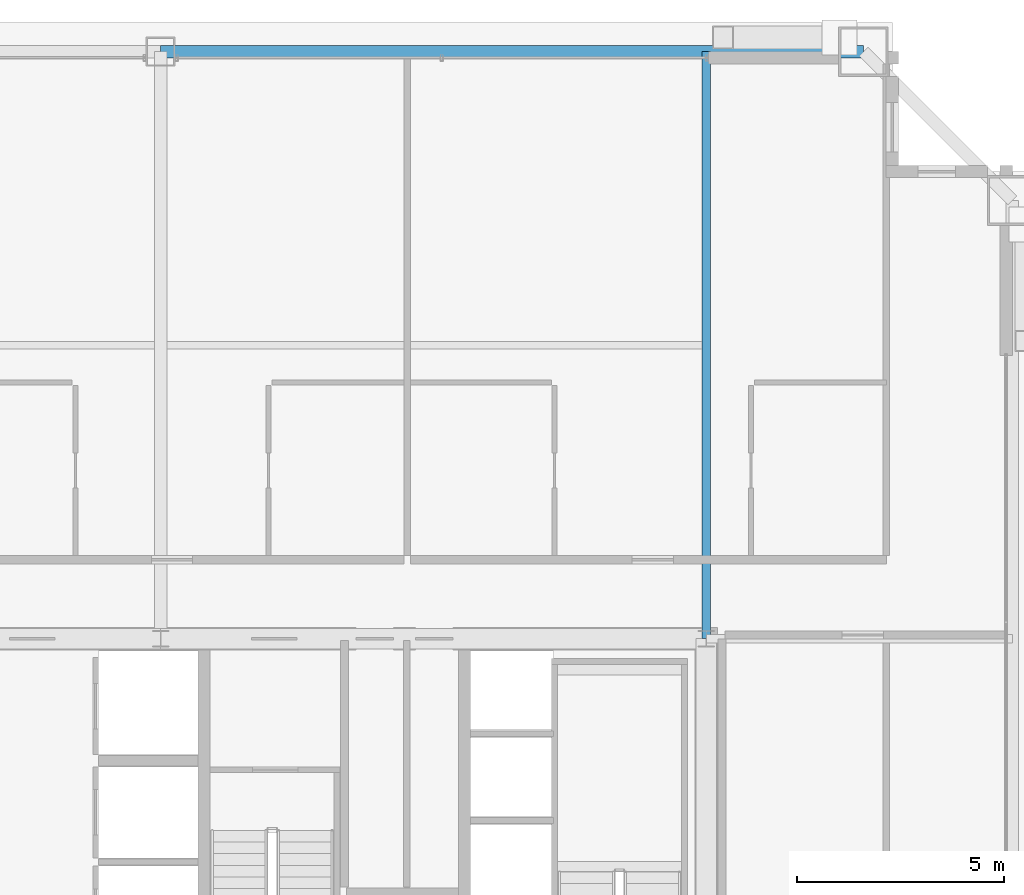
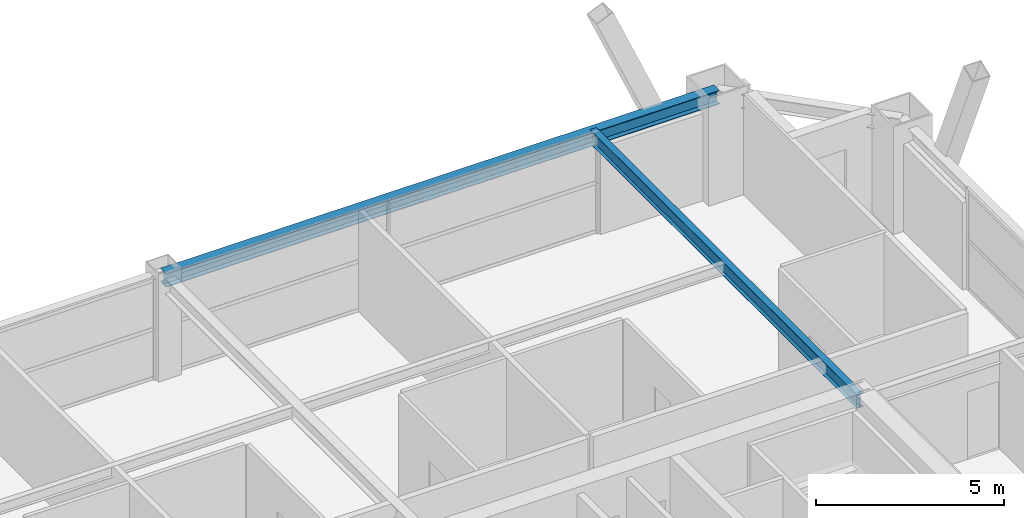
# One storey, part 26 of 33: 2 beams.
"""IFC4 building model written with IfcOpenShell, lengths in metres."""

import ifcopenshell
import ifcopenshell.guid

model = None  # the IFC model being written
_history = None  # IfcOwnerHistory: only IFC2X3 demands one
_inside = {}  # id of a spatial element -> (the spatial element, [elements in it])
_under = {}  # id of a project, library or spatial element -> (it, [spatial elements below it])
_declared = {}  # id of a project -> (the project, [libraries it declares])
_typed = {}  # id of a type object -> (the type object, [elements of that type])
_made_of = {}  # id of a material, layer set ... -> (it, [elements and type objects made of it])


def new_model(schema):
    """Start an empty IFC model of exactly this schema.

    Asked for "IFC4X3", IfcOpenShell would pick the latest addendum, in which some entities
    have other attributes; the version numbers below select the first issue.
    IFC2X3 requires an IfcOwnerHistory on every rooted entity: one is made here for all.
    """
    global model, _history
    if schema == "IFC4X3":
        model = ifcopenshell.file(schema_version=(4, 3, 0, 0))
    else:
        model = ifcopenshell.file(schema=schema)
    _inside.clear()
    _under.clear()
    _declared.clear()
    _typed.clear()
    _made_of.clear()
    _history = None
    if model.schema == "IFC2X3":
        org = make("IfcOrganization", Name="unknown")
        user = make(
            "IfcPersonAndOrganization",
            ThePerson=make("IfcPerson", FamilyName="unknown"),
            TheOrganization=org,
        )
        app = make(
            "IfcApplication",
            ApplicationDeveloper=org,
            Version="unknown",
            ApplicationFullName="unknown",
            ApplicationIdentifier="unknown",
        )
        _history = make(
            "IfcOwnerHistory",
            OwningUser=user,
            OwningApplication=app,
            ChangeAction="ADDED",
            CreationDate=0,
        )
    return model


def make(cls, **values):
    """One entity of the class cls with the attributes given. An attribute that is None is left unset."""
    return model.create_entity(
        cls, **{name: value for name, value in values.items() if value is not None}
    )


def rooted(cls, **values):
    """An entity with a GlobalId (a new one), such as an element, a storey or a relation."""
    return make(cls, GlobalId=ifcopenshell.guid.new(), OwnerHistory=_history, **values)


def si_unit(unit_type, name, prefix=None):
    """IfcSIUnit, for example si_unit("LENGTHUNIT", "METRE", prefix="MILLI")."""
    return make("IfcSIUnit", UnitType=unit_type, Prefix=prefix, Name=name)


def assignment(units):
    """IfcUnitAssignment: the units of a project."""
    return None if units is None else make("IfcUnitAssignment", Units=units)


def point(xyz):
    """IfcCartesianPoint."""
    return None if xyz is None else make("IfcCartesianPoint", Coordinates=xyz)


def direction(xyz):
    """IfcDirection."""
    return None if xyz is None else make("IfcDirection", DirectionRatios=xyz)


def frame(location, z_axis=None, x_axis=None):
    """IfcAxis2Placement3D, a coordinate frame: its origin and axes. An axis left out is left unset."""
    return make(
        "IfcAxis2Placement3D",
        Location=point(location),
        Axis=direction(z_axis),
        RefDirection=direction(x_axis),
    )


def frame_2d(location, x_axis=None):
    """IfcAxis2Placement2D, a coordinate frame in the plane: its origin and x axis."""
    return make(
        "IfcAxis2Placement2D", Location=point(location), RefDirection=direction(x_axis)
    )


def origin():
    """The frame at (0, 0, 0) with its axes left unset."""
    return frame((0.0, 0.0, 0.0))


def origin_2d():
    """The frame at (0, 0) in the plane with its x axis left unset."""
    return frame_2d((0.0, 0.0))


def place(relative_to, where):
    """IfcLocalPlacement: puts the frame where relative to a parent placement (None: the world)."""
    return make(
        "IfcLocalPlacement", PlacementRelTo=relative_to, RelativePlacement=where
    )


def context(
    kind, dimensions, precision=None, world=None, true_north=None, identifier=None
):
    """IfcGeometricRepresentationContext, for example the 3D "Model" context."""
    return make(
        "IfcGeometricRepresentationContext",
        ContextIdentifier=identifier,
        ContextType=kind,
        CoordinateSpaceDimension=dimensions,
        Precision=precision,
        WorldCoordinateSystem=world,
        TrueNorth=true_north,
    )


def subcontext(parent, identifier, kind, view, scale=None):
    """IfcGeometricRepresentationSubContext, for example "Body" below "Model"."""
    return make(
        "IfcGeometricRepresentationSubContext",
        ContextIdentifier=identifier,
        ContextType=kind,
        ParentContext=parent,
        TargetScale=scale,
        TargetView=view,
    )


def project(units=None, contexts=None):
    """IfcProject with its units and contexts."""
    return rooted(
        "IfcProject",
        Name="project",
        RepresentationContexts=contexts,
        UnitsInContext=assignment(units),
    )


def spatial(cls, under=None, at=None, **own):
    """A site, building, storey or space (cls), placed at a placement, below another one or the project."""
    s = rooted(cls, ObjectPlacement=at, **own)
    if under is not None:
        _under.setdefault(under.id(), (under, []))[1].append(s)
    return s


def profile(cls, at=None, kind="AREA", **sizes):
    """A parametric profile (cls). Its sizes go by their IFC names, for example OverallWidth=200.0."""
    return make(cls, ProfileType=kind, Position=at, **sizes)


def i_section(**sizes):
    """IfcIShapeProfileDef."""
    return profile("IfcIShapeProfileDef", **sizes)


def extrude(swept, where, along, depth):
    """IfcExtrudedAreaSolid: the profile swept, set in the frame where, extruded along a direction by depth."""
    return make(
        "IfcExtrudedAreaSolid",
        SweptArea=swept,
        Position=where,
        ExtrudedDirection=direction(along),
        Depth=depth,
    )


def shape(context_of_items, identifier, shape_type, items):
    """IfcShapeRepresentation: the items that make up one representation, for example the "Body"."""
    return make(
        "IfcShapeRepresentation",
        ContextOfItems=context_of_items,
        RepresentationIdentifier=identifier,
        RepresentationType=shape_type,
        Items=items,
    )


def source(mapping_origin, context_of_items, identifier, shape_type, items):
    """IfcRepresentationMap: a shape defined once, which mapped items show again and again."""
    return make(
        "IfcRepresentationMap",
        MappingOrigin=mapping_origin,
        MappedRepresentation=shape(context_of_items, identifier, shape_type, items),
    )


def transform(
    local_origin,
    x_axis=None,
    y_axis=None,
    z_axis=None,
    scale=None,
    scale2=None,
    scale3=None,
    uniform=True,
):
    """IfcCartesianTransformationOperator3D, or its non-uniform kind. x_axis, y_axis, z_axis: its Axis1, 2, 3."""
    if uniform:
        return make(
            "IfcCartesianTransformationOperator3D",
            Axis1=direction(x_axis),
            Axis2=direction(y_axis),
            LocalOrigin=point(local_origin),
            Scale=scale,
            Axis3=direction(z_axis),
        )
    return make(
        "IfcCartesianTransformationOperator3DnonUniform",
        Axis1=direction(x_axis),
        Axis2=direction(y_axis),
        LocalOrigin=point(local_origin),
        Scale=scale,
        Axis3=direction(z_axis),
        Scale2=scale2,
        Scale3=scale3,
    )


def mapped(mapping_source, mapping_target):
    """IfcMappedItem: shows the shape of a source again, moved by a transform."""
    return make(
        "IfcMappedItem", MappingSource=mapping_source, MappingTarget=mapping_target
    )


def material(Name=None, Category=None):
    """IfcMaterial."""
    return make("IfcMaterial", Name=Name, Category=Category)


def material_profile(
    of_material, cross_section, Name=None, Category=None, Priority=None
):
    """IfcMaterialProfile: a cross section and its material."""
    return make(
        "IfcMaterialProfile",
        Name=Name,
        Material=of_material,
        Profile=cross_section,
        Priority=Priority,
        Category=Category,
    )


def profile_set(profiles, Name=None, composite=None):
    """IfcMaterialProfileSet."""
    return make(
        "IfcMaterialProfileSet",
        Name=Name,
        MaterialProfiles=profiles,
        CompositeProfile=composite,
    )


def made_of(thing, what):
    """Note that an element or type object is made of a material, layer set ...; save() writes the relation."""
    if what is not None:
        _made_of.setdefault(what.id(), (what, []))[1].append(thing)
    return thing


def type_object(cls, material=None, **own):
    """A type object (cls), such as IfcWallType, which elements share."""
    return made_of(rooted(cls, **own), material)


def element(
    cls,
    number,
    at=None,
    inside=None,
    cuts=None,
    type_object=None,
    material=None,
    context=None,
    identifier="Body",
    shape_type=None,
    held_by="IfcProductDefinitionShape",
    body=None,
    shapes=None,
    **own,
):
    """One element of the class cls, such as IfcWall. Its Tag is "e" and its number.

    at: its placement. inside: the storey or other place that contains it. cuts: it is an
    opening in that element (IfcRelVoidsElement). A single representation is given by context,
    identifier, shape_type and body (its items); several are given by shapes. held_by: the class
    of the entity that holds the representations. save() writes the other relations.
    """
    e = rooted(cls, Tag="e%d" % number, ObjectPlacement=at, **own)
    if body is not None:
        shapes = [shape(context, identifier, shape_type, body)]
    if shapes is not None:
        e.Representation = make(held_by, Representations=shapes)
    if inside is not None:
        _inside.setdefault(inside.id(), (inside, []))[1].append(e)
    if cuts is not None:
        rooted(
            "IfcRelVoidsElement", RelatingBuildingElement=cuts, RelatedOpeningElement=e
        )
    if type_object is not None:
        _typed.setdefault(type_object.id(), (type_object, []))[1].append(e)
    return made_of(e, material)


def aggregate(whole, parts):
    """IfcRelAggregates: a whole, such as a stair, and the parts it consists of."""
    return rooted("IfcRelAggregates", RelatingObject=whole, RelatedObjects=parts)


def save(model, path):
    """Write the relations noted so far, then the file.

    IfcRelAggregates (storeys below a building ...), IfcRelContainedInSpatialStructure (elements
    in a storey), IfcRelDefinesByType, IfcRelAssociatesMaterial and IfcRelDeclares: one each for
    every whole, place, type object, material and project.
    """
    for whole, parts in _under.values():
        aggregate(whole, parts)
    for where, things in _inside.values():
        rooted(
            "IfcRelContainedInSpatialStructure",
            RelatedElements=things,
            RelatingStructure=where,
        )
    for kind, things in _typed.values():
        rooted("IfcRelDefinesByType", RelatedObjects=things, RelatingType=kind)
    for what, things in _made_of.values():
        rooted("IfcRelAssociatesMaterial", RelatedObjects=things, RelatingMaterial=what)
    for by, libraries in _declared.values():
        rooted("IfcRelDeclares", RelatingContext=by, RelatedDefinitions=libraries)
    model.write(path)


model = new_model("IFC4")

# Units and contexts
model_context = context("Model", 3, precision=1e-05, world=origin(), true_north=direction((0.0, 1.0)))
body_context = subcontext(model_context, "Body", "Model", "MODEL_VIEW")
ifc_project = project(units=[si_unit("LENGTHUNIT", "METRE"), si_unit("AREAUNIT", "SQUARE_METRE"), si_unit("VOLUMEUNIT", "CUBIC_METRE"), si_unit("PLANEANGLEUNIT", "RADIAN"), si_unit("MASSUNIT", "GRAM", prefix="KILO"), si_unit("THERMODYNAMICTEMPERATUREUNIT", "KELVIN"), si_unit("POWERUNIT", "WATT")], contexts=[model_context])

# Site, building, storey
site_placement = place(None, origin())
site = spatial("IfcSite", under=ifc_project, at=site_placement, CompositionType="ELEMENT")
building_placement = place(site_placement, origin())
building = spatial("IfcBuilding", under=site, at=building_placement, Name="Yuzanri Waterfront Tower", CompositionType="ELEMENT")
storey_placement = place(building_placement, frame((0.0, 0.0, 234.60009765625)))
storey = spatial("IfcBuildingStorey", under=building, at=storey_placement, Name="L62", CompositionType="ELEMENT", Elevation=234.60009765625)

# Beams
ifc_material_1 = material(Name="Steel Q355B", Category="steel")
ifc_material_profile_1 = material_profile(ifc_material_1, i_section(OverallWidth=0.300048828125, OverallDepth=0.43994140625, WebThickness=0.010986328125, FlangeThickness=0.01806640625, at=origin_2d()), Name="HM 440x300x11x18")
ifc_profile_set_1 = profile_set([ifc_material_profile_1], Name="Steel Q355B")
beam_type_1 = type_object("IfcBeamType", Name="Perimeter Spandrel Q355B HM 440x300", PredefinedType="SPANDREL", material=ifc_profile_set_1)
shared_shape_1 = source(origin(), body_context, "Body", "SweptSolid", [
    extrude(i_section(OverallWidth=0.300048828125, OverallDepth=0.43994140625, WebThickness=0.010986328125, FlangeThickness=0.01806640625, at=origin_2d()), origin(), (0.0, 0.0, 1.0), 17.0),
])
beam_1_placement = place(storey_placement, frame((54.0, 46.39990234375, 3.059814453125), z_axis=(-1.0, 0.0, 0.0), x_axis=(0.0, -1.0, 0.0)))
element("IfcBeam", 1, at=beam_1_placement, inside=storey, type_object=beam_type_1, Name="L62 Perimeter Spandrel N3-N2", PredefinedType="SPANDREL", context=body_context, shape_type="MappedRepresentation", body=[
    mapped(shared_shape_1, transform((0.0, 0.0, 0.0), scale=1.0)),
])
ifc_material_2 = material(Name="Steel Q355B", Category="steel")
ifc_material_profile_2 = material_profile(ifc_material_2, i_section(OverallWidth=0.199951171875, OverallDepth=0.449951171875, WebThickness=0.009033203125, FlangeThickness=0.013916015625, at=origin_2d()), Name="HN 450x200x9x14")
ifc_profile_set_2 = profile_set([ifc_material_profile_2], Name="Steel Q355B")
beam_type_2 = type_object("IfcBeamType", Name="Secondary Floor Beam Q355B HN 450x200", PredefinedType="BEAM", material=ifc_profile_set_2)
shared_shape_2 = source(origin(), body_context, "Body", "SweptSolid", [
    extrude(i_section(OverallWidth=0.199951171875, OverallDepth=0.449951171875, WebThickness=0.009033203125, FlangeThickness=0.013916015625, at=origin_2d()), origin(), (0.0, 0.0, 1.0), 14.199951171875),
])
beam_2_placement = place(storey_placement, frame((50.199951171875, 32.199951171875, 3.054931640625), z_axis=(0.0, 1.0, 0.0), x_axis=(-1.0, 0.0, 0.0)))
element("IfcBeam", 2, at=beam_2_placement, inside=storey, type_object=beam_type_2, Name="L62 North-East Core Line Beam", PredefinedType="BEAM", context=body_context, shape_type="MappedRepresentation", body=[
    mapped(shared_shape_2, transform((0.0, 0.0, 0.0), scale=1.0)),
])

save(model, "model.ifc")
